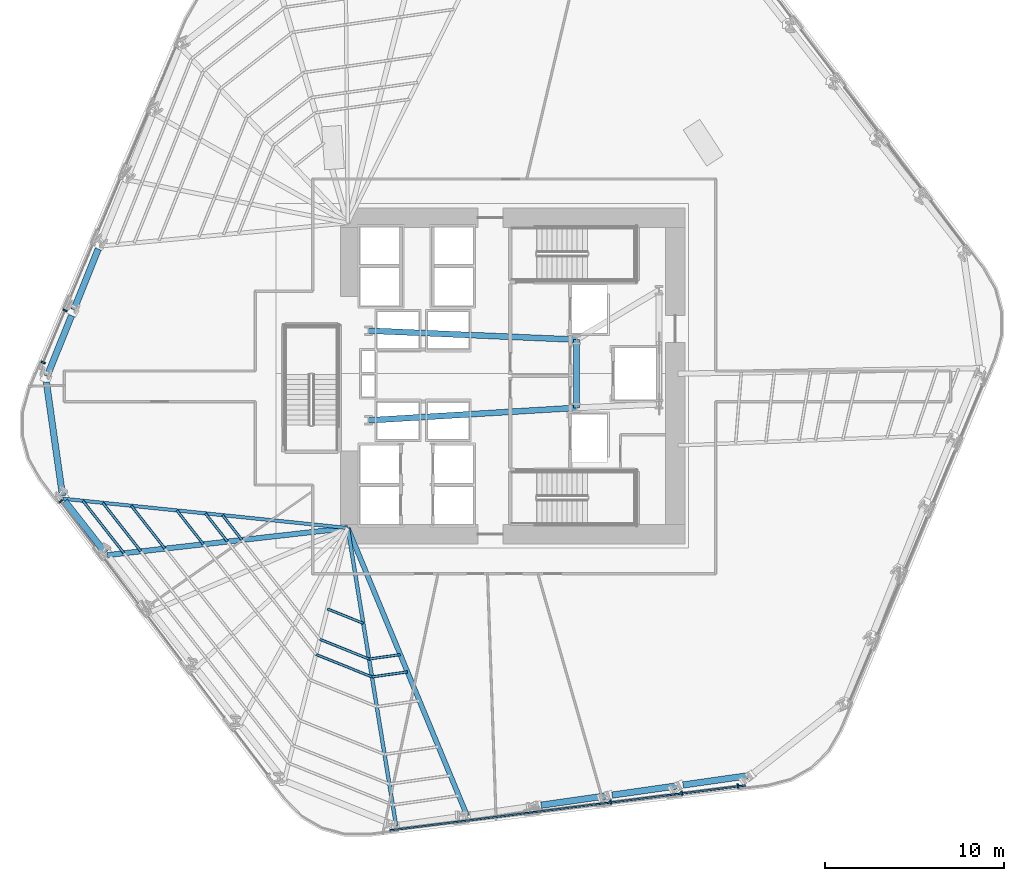
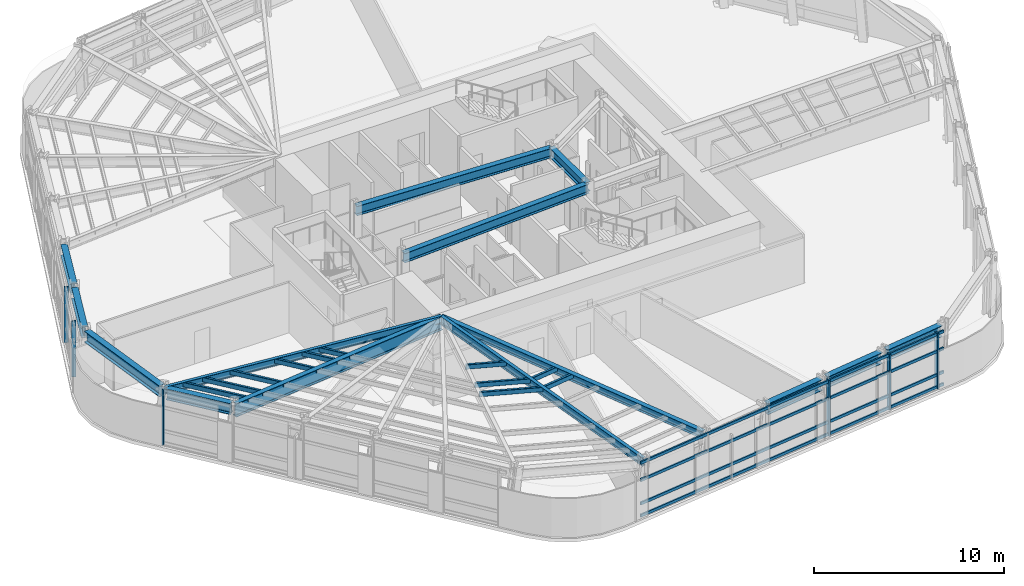
# One storey, part 3 of 16: 21 members, 14 beams, 3 elements without a shape of their own.
"""IFC4 building model written with IfcOpenShell, lengths in metres."""

from ifc_helpers import new_model, si_unit, direction, frame, origin, origin_2d, place, context, subcontext, project, spatial, rectangle, hollow_rectangle, i_section, extrude, material, layer, layer_set, material_profile, profile_set, type_object, element, aggregate, save


model = new_model("IFC4")

# Units and contexts
model_context = context("Model", 3, precision=1e-05, world=origin(), true_north=direction((0.0, 1.0)))
body_context = subcontext(model_context, "Body", "Model", "MODEL_VIEW")
ifc_project = project(units=[si_unit("LENGTHUNIT", "METRE"), si_unit("AREAUNIT", "SQUARE_METRE"), si_unit("VOLUMEUNIT", "CUBIC_METRE"), si_unit("PLANEANGLEUNIT", "RADIAN"), si_unit("MASSUNIT", "GRAM", prefix="KILO")], contexts=[model_context])

# Site, building, storey
site_placement = place(None, origin())
site = spatial("IfcSite", under=ifc_project, at=site_placement, CompositionType="ELEMENT")
building_placement = place(site_placement, origin())
building = spatial("IfcBuilding", under=site, at=building_placement, Name="Valkerne Bourse Tower", CompositionType="ELEMENT")
storey_placement = place(building_placement, frame((0.0, 0.0, 54.39990234375)))
storey = spatial("IfcBuildingStorey", under=building, at=storey_placement, Name="L13", CompositionType="ELEMENT", Elevation=54.39990234375)

# Beams
ifc_material_1 = material(Name="Steel ASTM A992", Category="steel")
ifc_material_profile_1 = material_profile(ifc_material_1, i_section(OverallWidth=0.1904296875, OverallDepth=0.457275390625, WebThickness=0.009033203125, FlangeThickness=0.014404296875, FilletRadius=0.01513671875, at=origin_2d()), Name="W18X50")
ifc_profile_set_1 = profile_set([ifc_material_profile_1], Name="Steel ASTM A992")
beam_type_1 = type_object("IfcBeamType", Name="BM-W18X50", PredefinedType="JOIST", material=ifc_profile_set_1)
beam_1_placement = place(storey_placement, frame((21.72412109375, 20.03271484375, 3.3515625), z_axis=(0.99475273558, -0.102308333265, 0.0), x_axis=(0.102308333265, 0.99475273558, 0.0)))
element("IfcBeam", 1, at=beam_1_placement, inside=storey, type_object=beam_type_1, Name="L13 Radial Composite Floor Beam 18", PredefinedType="JOIST", context=body_context, shape_type="SweptSolid", body=[
    extrude(i_section(OverallWidth=0.1904296875, OverallDepth=0.457275390625, WebThickness=0.009033203125, FlangeThickness=0.014404296875, FilletRadius=0.01513671875, at=origin_2d()), origin(), (0.0, 0.0, 1.0), 15.959716796875),
])
ifc_material_profile_2 = material_profile(ifc_material_1, i_section(OverallWidth=0.279296875, OverallDepth=0.46240234375, WebThickness=0.0107421875, FlangeThickness=0.017333984375, FilletRadius=0.017822265625, at=origin_2d()), Name="W18X76")
ifc_profile_set_2 = profile_set([ifc_material_profile_2], Name="Steel ASTM A992")
beam_type_2 = type_object("IfcBeamType", Name="BM-W18X76", PredefinedType="BEAM", material=ifc_profile_set_2)
beam_2_placement = place(storey_placement, frame((44.251953125, 2.363037109375, 3.348876953125), z_axis=(-0.383134132782, 0.923692717465, 0.0), x_axis=(-0.923692717465, -0.383134132782, 0.0)))
element("IfcBeam", 2, at=beam_2_placement, inside=storey, type_object=beam_type_2, Name="L13 Radial Composite Floor Beam 25", PredefinedType="BEAM", context=body_context, shape_type="SweptSolid", body=[
    extrude(i_section(OverallWidth=0.279296875, OverallDepth=0.46240234375, WebThickness=0.0107421875, FlangeThickness=0.017333984375, FilletRadius=0.017822265625, at=origin_2d()), origin(), (0.0, 0.0, 1.0), 17.361572265625),
])
ifc_material_profile_3 = material_profile(ifc_material_1, i_section(OverallWidth=0.209228515625, OverallDepth=0.533447265625, WebThickness=0.01025390625, FlangeThickness=0.015625, FilletRadius=0.017822265625, at=origin_2d()), Name="W21X62")
ifc_profile_set_3 = profile_set([ifc_material_profile_3], Name="Steel ASTM A992")
beam_type_3 = type_object("IfcBeamType", Name="BM-W21X62", PredefinedType="JOIST", material=ifc_profile_set_3)
beam_3_placement = place(storey_placement, frame((40.2958984375, 1.7998046875, 3.3134765625), z_axis=(-0.16029671032, 0.987068875338, 0.0), x_axis=(-0.987068875338, -0.16029671032, 0.0)))
element("IfcBeam", 3, at=beam_3_placement, inside=storey, type_object=beam_type_3, Name="L13 Radial Composite Floor Beam 24", PredefinedType="JOIST", context=body_context, shape_type="SweptSolid", body=[
    extrude(i_section(OverallWidth=0.209228515625, OverallDepth=0.533447265625, WebThickness=0.01025390625, FlangeThickness=0.015625, FilletRadius=0.017822265625, at=origin_2d()), origin(), (0.0, 0.0, 1.0), 16.817626953125),
])
ifc_material_profile_4 = material_profile(ifc_material_1, i_section(OverallWidth=0.3251953125, OverallDepth=0.612060546875, WebThickness=0.0126953125, FlangeThickness=0.01904296875, FilletRadius=0.020263671875, at=origin_2d()), Name="W24X104")
ifc_profile_set_4 = profile_set([ifc_material_profile_4], Name="Steel ASTM A992")
beam_type_4 = type_object("IfcBeamType", Name="BM-W24X104", PredefinedType="BEAM", material=ifc_profile_set_4)
beam_4_placement = place(storey_placement, frame((50.35009765625, 25.10009765625, 3.27392578125), z_axis=(0.0, 1.0, 0.0), x_axis=(-1.0, 0.0, 0.0)))
element("IfcBeam", 4, at=beam_4_placement, inside=storey, type_object=beam_type_4, Name="L13 Core Frame Girder CG-CE", PredefinedType="BEAM", context=body_context, shape_type="SweptSolid", body=[
    extrude(i_section(OverallWidth=0.3251953125, OverallDepth=0.612060546875, WebThickness=0.0126953125, FlangeThickness=0.01904296875, FilletRadius=0.020263671875, at=origin_2d()), origin(), (0.0, 0.0, 1.0), 3.7998046875),
])
beam_5_placement = place(storey_placement, frame((38.75, 24.39990234375, 3.27392578125), z_axis=(0.998183228389, 0.060251494276, 0.0), x_axis=(-0.060251494276, 0.998183228389, 0.0)))
element("IfcBeam", 5, at=beam_5_placement, inside=storey, type_object=beam_type_4, Name="L13 Core Frame Girder CG-SW", PredefinedType="BEAM", context=body_context, shape_type="SweptSolid", body=[
    extrude(i_section(OverallWidth=0.3251953125, OverallDepth=0.612060546875, WebThickness=0.0126953125, FlangeThickness=0.01904296875, FilletRadius=0.020263671875, at=origin_2d()), origin(), (0.0, 0.0, 1.0), 11.62109375),
])
beam_6_placement = place(storey_placement, frame((38.75, 29.39990234375, 3.27392578125), z_axis=(0.999072354402, -0.043063101019, 0.0), x_axis=(0.043063101019, 0.999072354402, 0.0)))
element("IfcBeam", 6, at=beam_6_placement, inside=storey, type_object=beam_type_4, Name="L13 Core Frame Girder CG-NW", PredefinedType="BEAM", context=body_context, shape_type="SweptSolid", body=[
    extrude(i_section(OverallWidth=0.3251953125, OverallDepth=0.612060546875, WebThickness=0.0126953125, FlangeThickness=0.01904296875, FilletRadius=0.020263671875, at=origin_2d()), origin(), (0.0, 0.0, 1.0), 11.61083984375),
])
ifc_material_profile_5 = material_profile(ifc_material_1, i_section(OverallWidth=0.358154296875, OverallDepth=0.7060546875, WebThickness=0.018310546875, FlangeThickness=0.0302734375, FilletRadius=0.02294921875, at=origin_2d()), Name="W27X178")
ifc_profile_set_5 = profile_set([ifc_material_profile_5], Name="Steel ASTM A992")
beam_type_5 = type_object("IfcBeamType", Name="BM-W27X178", PredefinedType="SPANDREL", material=ifc_profile_set_5)
beam_7_placement = place(storey_placement, frame((23.693359375, 33.9521484375, 3.22705078125), z_axis=(-0.372967535264, -0.927844393009, 0.0), x_axis=(0.927844393009, -0.372967535264, 0.0)))
element("IfcBeam", 7, at=beam_7_placement, inside=storey, type_object=beam_type_5, Name="L13 Hexagonal Spandrel Ring Beam 15", PredefinedType="SPANDREL", context=body_context, shape_type="SweptSolid", body=[
    extrude(i_section(OverallWidth=0.358154296875, OverallDepth=0.7060546875, WebThickness=0.018310546875, FlangeThickness=0.0302734375, FilletRadius=0.02294921875, at=origin_2d()), origin(), (0.0, 0.0, 1.0), 3.65576171875),
])
beam_8_placement = place(storey_placement, frame((22.202880859375, 30.24462890625, 3.22705078125), z_axis=(-0.372944426895, -0.927853681594, 0.0), x_axis=(0.927853681594, -0.372944426895, 0.0)))
element("IfcBeam", 8, at=beam_8_placement, inside=storey, type_object=beam_type_5, Name="L13 Hexagonal Spandrel Ring Beam 16", PredefinedType="SPANDREL", context=body_context, shape_type="SweptSolid", body=[
    extrude(i_section(OverallWidth=0.358154296875, OverallDepth=0.7060546875, WebThickness=0.018310546875, FlangeThickness=0.0302734375, FilletRadius=0.02294921875, at=origin_2d()), origin(), (0.0, 0.0, 1.0), 3.656005859375),
])
beam_9_placement = place(storey_placement, frame((20.7998046875, 26.5263671875, 3.22705078125), z_axis=(0.140886372416, -0.990025772426, 0.0), x_axis=(0.990025772426, 0.140886372416, 0.0)))
element("IfcBeam", 9, at=beam_9_placement, inside=storey, type_object=beam_type_5, Name="L13 Hexagonal Spandrel Ring Beam 17", PredefinedType="SPANDREL", context=body_context, shape_type="SweptSolid", body=[
    extrude(i_section(OverallWidth=0.358154296875, OverallDepth=0.7060546875, WebThickness=0.018310546875, FlangeThickness=0.0302734375, FilletRadius=0.02294921875, at=origin_2d()), origin(), (0.0, 0.0, 1.0), 6.38916015625),
])
beam_10_placement = place(storey_placement, frame((21.828857421875, 19.89892578125, 3.22705078125), z_axis=(0.617042646345, -0.786929712612, 0.0), x_axis=(0.786929712612, 0.617042646345, 0.0)))
element("IfcBeam", 10, at=beam_10_placement, inside=storey, type_object=beam_type_5, Name="L13 Hexagonal Spandrel Ring Beam 18", PredefinedType="SPANDREL", context=body_context, shape_type="SweptSolid", body=[
    extrude(i_section(OverallWidth=0.358154296875, OverallDepth=0.7060546875, WebThickness=0.018310546875, FlangeThickness=0.0302734375, FilletRadius=0.02294921875, at=origin_2d()), origin(), (0.0, 0.0, 1.0), 3.656005859375),
])
beam_11_placement = place(storey_placement, frame((48.37646484375, 2.949951171875, 3.22705078125), z_axis=(0.990022818804, 0.140907126319, 0.0), x_axis=(-0.140907126319, 0.990022818804, 0.0)))
element("IfcBeam", 11, at=beam_11_placement, inside=storey, type_object=beam_type_5, Name="L13 Hexagonal Spandrel Ring Beam 26", PredefinedType="SPANDREL", context=body_context, shape_type="SweptSolid", body=[
    extrude(i_section(OverallWidth=0.358154296875, OverallDepth=0.7060546875, WebThickness=0.018310546875, FlangeThickness=0.0302734375, FilletRadius=0.02294921875, at=origin_2d()), origin(), (0.0, 0.0, 1.0), 3.65576171875),
])
beam_12_placement = place(storey_placement, frame((52.33251953125, 3.51318359375, 3.22705078125), z_axis=(0.990033457277, 0.140832359463, 0.0), x_axis=(-0.140832359463, 0.990033457277, 0.0)))
element("IfcBeam", 12, at=beam_12_placement, inside=storey, type_object=beam_type_5, Name="L13 Hexagonal Spandrel Ring Beam 27", PredefinedType="SPANDREL", context=body_context, shape_type="SweptSolid", body=[
    extrude(i_section(OverallWidth=0.358154296875, OverallDepth=0.7060546875, WebThickness=0.018310546875, FlangeThickness=0.0302734375, FilletRadius=0.02294921875, at=origin_2d()), origin(), (0.0, 0.0, 1.0), 3.656005859375),
])
beam_13_placement = place(storey_placement, frame((56.288818359375, 4.076171875, 3.22705078125), z_axis=(0.990022818804, 0.140907126319, 0.0), x_axis=(-0.140907126319, 0.990022818804, 0.0)))
element("IfcBeam", 13, at=beam_13_placement, inside=storey, type_object=beam_type_5, Name="L13 Hexagonal Spandrel Ring Beam 28", PredefinedType="SPANDREL", context=body_context, shape_type="SweptSolid", body=[
    extrude(i_section(OverallWidth=0.358154296875, OverallDepth=0.7060546875, WebThickness=0.018310546875, FlangeThickness=0.0302734375, FilletRadius=0.02294921875, at=origin_2d()), origin(), (0.0, 0.0, 1.0), 3.65576171875),
])
ifc_material_profile_6 = material_profile(ifc_material_1, i_section(OverallWidth=0.2919921875, OverallDepth=0.8583984375, WebThickness=0.01708984375, FlangeThickness=0.031005859375, FilletRadius=0.025390625, at=origin_2d()), Name="W33X169")
ifc_profile_set_6 = profile_set([ifc_material_profile_6], Name="Steel ASTM A992")
beam_type_6 = type_object("IfcBeamType", Name="BM-W33X169", PredefinedType="BEAM", material=ifc_profile_set_6)
beam_14_placement = place(storey_placement, frame((24.189697265625, 16.88818359375, 3.15087890625), z_axis=(0.993706194091, 0.112017854937, 0.0), x_axis=(-0.112017854937, 0.993706194091, 0.0)))
element("IfcBeam", 14, at=beam_14_placement, inside=storey, type_object=beam_type_6, Name="L13 Radial Composite Floor Beam 19", PredefinedType="BEAM", context=body_context, shape_type="SweptSolid", body=[
    extrude(i_section(OverallWidth=0.2919921875, OverallDepth=0.8583984375, WebThickness=0.01708984375, FlangeThickness=0.031005859375, FilletRadius=0.025390625, at=origin_2d()), origin(), (0.0, 0.0, 1.0), 13.495361328125),
])

# Curtain wall, members
ifc_material_2 = material(Name="Aluminium AA 6063-T6", Category="aluminium")
ifc_layer = layer(ifc_material_2, 0.22509765625)
ifc_layer_set = layer_set([ifc_layer], Name="Aluminium AA 6063-T6")
curtain_wall_type = type_object("IfcCurtainWallType", Name="CW-01", PredefinedType="NOTDEFINED", material=ifc_layer_set)
curtain_wall_1_placement = place(storey_placement, origin())
curtain_wall_1 = element("IfcCurtainWall", 15, at=curtain_wall_1_placement, inside=storey, type_object=curtain_wall_type, Name="L13 Hexagonal Stick Curtain Wall Face 3", PredefinedType="NOTDEFINED")
ifc_material_profile_7 = material_profile(ifc_material_2, rectangle(XDim=0.090087890625, YDim=0.239990234375, at=origin_2d()), Name="CWM-90X240")
ifc_profile_set_7 = profile_set([ifc_material_profile_7], Name="Aluminium AA 6063-T6")
member_type_1 = type_object("IfcMemberType", Name="CW-MUL-240X90", PredefinedType="MULLION", material=ifc_profile_set_7)
member_1_placement = place(storey_placement, frame((21.8466796875, 30.53173828125, 0.0), z_axis=(0.0, 0.0, 1.0), x_axis=(-0.387509858952, -0.921865559187, 0.0)))
member_1 = element("IfcMember", 16, at=member_1_placement, type_object=member_type_1, Name="CW-L13-F3 Jamb Mullion 04A", PredefinedType="MULLION", context=body_context, shape_type="SweptSolid", body=[
    extrude(rectangle(XDim=0.090087890625, YDim=0.239990234375, at=origin_2d()), origin(), (0.0, 0.0, 1.0), 3.580078125),
])
member_2_placement = place(storey_placement, frame((20.62353515625, 27.622314453125, 0.0), z_axis=(0.0, 0.0, 1.0), x_axis=(-0.387509858952, -0.921865559187, 0.0)))
member_2 = element("IfcMember", 17, at=member_2_placement, type_object=member_type_1, Name="CW-L13-F3 Jamb Mullion 04B", PredefinedType="MULLION", context=body_context, shape_type="SweptSolid", body=[
    extrude(rectangle(XDim=0.090087890625, YDim=0.239990234375, at=origin_2d()), origin(), (0.0, 0.0, 1.0), 3.580078125),
])
aggregate(curtain_wall_1, [member_1, member_2])

# Curtain wall, member
curtain_wall_2_placement = place(storey_placement, origin())
curtain_wall_2 = element("IfcCurtainWall", 18, at=curtain_wall_2_placement, inside=storey, type_object=curtain_wall_type, Name="L13 Hexagonal Stick Curtain Wall Face 4", PredefinedType="NOTDEFINED")
member_3_placement = place(storey_placement, frame((21.600830078125, 19.887451171875, 0.0), z_axis=(0.0, 0.0, 1.0), x_axis=(0.604606641485, -0.79652420495, 0.0)))
member_3 = element("IfcMember", 19, at=member_3_placement, type_object=member_type_1, Name="CW-L13-F4 Jamb Mullion 00A", PredefinedType="MULLION", context=body_context, shape_type="SweptSolid", body=[
    extrude(rectangle(XDim=0.090087890625, YDim=0.239990234375, at=origin_2d()), origin(), (0.0, 0.0, 1.0), 3.580078125),
])
aggregate(curtain_wall_2, [member_3])

# Curtain wall, members
curtain_wall_3_placement = place(storey_placement, origin())
curtain_wall_3 = element("IfcCurtainWall", 20, at=curtain_wall_3_placement, inside=storey, type_object=curtain_wall_type, Name="L13 Hexagonal Stick Curtain Wall Face 5", PredefinedType="NOTDEFINED")
member_4_placement = place(storey_placement, frame((52.253662109375, 3.123046875, 0.0), z_axis=(0.0, 0.0, 1.0), x_axis=(0.992115722578, 0.125325149169, 0.0)))
member_4 = element("IfcMember", 21, at=member_4_placement, type_object=member_type_1, Name="CW-L13-F5 Jamb Mullion 03A", PredefinedType="MULLION", context=body_context, shape_type="SweptSolid", body=[
    extrude(rectangle(XDim=0.090087890625, YDim=0.239990234375, at=origin_2d()), origin(), (0.0, 0.0, 1.0), 3.580078125),
])
member_5_placement = place(storey_placement, frame((56.218017578125, 3.623779296875, 0.0), z_axis=(0.0, 0.0, 1.0), x_axis=(0.992112610749, 0.125349780988, 0.0)))
member_5 = element("IfcMember", 22, at=member_5_placement, type_object=member_type_1, Name="CW-L13-F5 Jamb Mullion 04A", PredefinedType="MULLION", context=body_context, shape_type="SweptSolid", body=[
    extrude(rectangle(XDim=0.090087890625, YDim=0.239990234375, at=origin_2d()), origin(), (0.0, 0.0, 1.0), 3.580078125),
])
member_6_placement = place(storey_placement, frame((59.34912109375, 4.019287109375, 0.0), z_axis=(0.0, 0.0, 1.0), x_axis=(0.992112610749, 0.125349780988, 0.0)))
member_6 = element("IfcMember", 23, at=member_6_placement, type_object=member_type_1, Name="CW-L13-F5 Jamb Mullion 04B", PredefinedType="MULLION", context=body_context, shape_type="SweptSolid", body=[
    extrude(rectangle(XDim=0.090087890625, YDim=0.239990234375, at=origin_2d()), origin(), (0.0, 0.0, 1.0), 3.580078125),
])
ifc_material_profile_8 = material_profile(ifc_material_2, rectangle(XDim=0.090087890625, YDim=0.179931640625, at=origin_2d()), Name="CWT-90X180")
ifc_profile_set_8 = profile_set([ifc_material_profile_8], Name="Aluminium AA 6063-T6")
member_type_2 = type_object("IfcMemberType", Name="CW-TRN-180X90", PredefinedType="USERDEFINED", material=ifc_profile_set_8)
member_7_placement = place(storey_placement, frame((39.94580078125, 1.548095703125, 0.1201171875), z_axis=(0.992114794338, 0.125332497205, 0.0), x_axis=(-0.125332497205, 0.992114794338, 0.0)))
member_7 = element("IfcMember", 24, at=member_7_placement, type_object=member_type_2, Name="CW-L13-F5 Continuous Face Transom 1", ObjectType="TRANSOM", PredefinedType="USERDEFINED", context=body_context, shape_type="SweptSolid", body=[
    extrude(rectangle(XDim=0.090087890625, YDim=0.179931640625, at=origin_2d()), origin(), (0.0, 0.0, 1.0), 19.97998046875),
])
member_8_placement = place(storey_placement, frame((39.94580078125, 1.548095703125, 0.900146484375), z_axis=(0.992114794338, 0.125332497205, 0.0), x_axis=(-0.125332497205, 0.992114794338, 0.0)))
member_8 = element("IfcMember", 25, at=member_8_placement, type_object=member_type_2, Name="CW-L13-F5 Continuous Face Transom 2", ObjectType="TRANSOM", PredefinedType="USERDEFINED", context=body_context, shape_type="SweptSolid", body=[
    extrude(rectangle(XDim=0.090087890625, YDim=0.179931640625, at=origin_2d()), origin(), (0.0, 0.0, 1.0), 19.97998046875),
])
member_9_placement = place(storey_placement, frame((39.94580078125, 1.548095703125, 2.400146484375), z_axis=(0.992114794338, 0.125332497205, 0.0), x_axis=(-0.125332497205, 0.992114794338, 0.0)))
member_9 = element("IfcMember", 26, at=member_9_placement, type_object=member_type_2, Name="CW-L13-F5 Continuous Face Transom 3", ObjectType="TRANSOM", PredefinedType="USERDEFINED", context=body_context, shape_type="SweptSolid", body=[
    extrude(rectangle(XDim=0.090087890625, YDim=0.179931640625, at=origin_2d()), origin(), (0.0, 0.0, 1.0), 19.97998046875),
])
member_10_placement = place(storey_placement, frame((39.94580078125, 1.548095703125, 3.5), z_axis=(0.992114794338, 0.125332497205, 0.0), x_axis=(-0.125332497205, 0.992114794338, 0.0)))
member_10 = element("IfcMember", 27, at=member_10_placement, type_object=member_type_2, Name="CW-L13-F5 Continuous Face Transom 4", ObjectType="TRANSOM", PredefinedType="USERDEFINED", context=body_context, shape_type="SweptSolid", body=[
    extrude(rectangle(XDim=0.090087890625, YDim=0.179931640625, at=origin_2d()), origin(), (0.0, 0.0, 1.0), 19.97998046875),
])
aggregate(curtain_wall_3, [member_7, member_8, member_9, member_10, member_4, member_5, member_6])

# Members
ifc_material_3 = material(Name="Steel ASTM A500 Grade C", Category="steel")
ifc_material_profile_9 = material_profile(ifc_material_3, hollow_rectangle(XDim=0.14990234375, YDim=0.300048828125, WallThickness=0.012451171875, OuterFilletRadius=0.02490234375, at=origin_2d()), Name="HSS300X150X12.5")
ifc_profile_set_9 = profile_set([ifc_material_profile_9], Name="Steel ASTM A500 Grade C")
member_type_3 = type_object("IfcMemberType", Name="MBR-HSS300X150X12.5", PredefinedType="PURLIN", material=ifc_profile_set_9)
member_11_placement = place(storey_placement, frame((36.46484375, 13.89111328125, 3.420166015625), z_axis=(0.927818395559, -0.373032203518, 0.0), x_axis=(0.373032203518, 0.927818395559, 0.0)))
element("IfcMember", 28, at=member_11_placement, inside=storey, type_object=member_type_3, Name="L13 Secondary Composite Floor Purlin I-23", PredefinedType="PURLIN", context=body_context, shape_type="SweptSolid", body=[
    extrude(hollow_rectangle(XDim=0.14990234375, YDim=0.300048828125, WallThickness=0.012451171875, OuterFilletRadius=0.02490234375, at=origin_2d()), origin(), (0.0, 0.0, 1.0), 2.1533203125),
])
member_12_placement = place(storey_placement, frame((30.614501953125, 19.118408203125, 3.420166015625), z_axis=(0.617079247573, -0.7869010117, 0.0), x_axis=(0.7869010117, 0.617079247573, 0.0)))
element("IfcMember", 29, at=member_12_placement, inside=storey, type_object=member_type_3, Name="L13 Secondary Composite Floor Purlin K-18", PredefinedType="PURLIN", context=body_context, shape_type="SweptSolid", body=[
    extrude(hollow_rectangle(XDim=0.14990234375, YDim=0.300048828125, WallThickness=0.012451171875, OuterFilletRadius=0.02490234375, at=origin_2d()), origin(), (0.0, 0.0, 1.0), 1.75830078125),
])
member_13_placement = place(storey_placement, frame((36.0390625, 12.2001953125, 3.420166015625), z_axis=(0.927844101366, -0.372968260796, 0.0), x_axis=(0.372968260796, 0.927844101366, 0.0)))
element("IfcMember", 30, at=member_13_placement, inside=storey, type_object=member_type_3, Name="L13 Secondary Composite Floor Purlin K-23", PredefinedType="PURLIN", context=body_context, shape_type="SweptSolid", body=[
    extrude(hollow_rectangle(XDim=0.14990234375, YDim=0.300048828125, WallThickness=0.012451171875, OuterFilletRadius=0.02490234375, at=origin_2d()), origin(), (0.0, 0.0, 1.0), 2.960693359375),
])
member_14_placement = place(storey_placement, frame((38.7861328125, 11.095947265625, 3.420166015625), z_axis=(0.990018800655, 0.140935355213, 0.0), x_axis=(-0.140935355213, 0.990018800655, 0.0)))
element("IfcMember", 31, at=member_14_placement, inside=storey, type_object=member_type_3, Name="L13 Secondary Composite Floor Purlin K-24", PredefinedType="PURLIN", context=body_context, shape_type="SweptSolid", body=[
    extrude(hollow_rectangle(XDim=0.14990234375, YDim=0.300048828125, WallThickness=0.012451171875, OuterFilletRadius=0.02490234375, at=origin_2d()), origin(), (0.0, 0.0, 1.0), 1.75830078125),
])
member_15_placement = place(storey_placement, frame((29.662109375, 19.21630859375, 3.420166015625), z_axis=(0.616990089539, -0.786970920308, 0.0), x_axis=(0.786970920308, 0.616990089539, 0.0)))
element("IfcMember", 32, at=member_15_placement, inside=storey, type_object=member_type_3, Name="L13 Secondary Composite Floor Purlin M-18", PredefinedType="PURLIN", context=body_context, shape_type="SweptSolid", body=[
    extrude(hollow_rectangle(XDim=0.14990234375, YDim=0.300048828125, WallThickness=0.012451171875, OuterFilletRadius=0.02490234375, at=origin_2d()), origin(), (0.0, 0.0, 1.0), 1.997802734375),
])
member_16_placement = place(storey_placement, frame((35.826171875, 11.35498046875, 3.420166015625), z_axis=(0.927819706001, -0.373028944127, 0.0), x_axis=(0.373028944127, 0.927819706001, 0.0)))
element("IfcMember", 33, at=member_16_placement, inside=storey, type_object=member_type_3, Name="L13 Secondary Composite Floor Purlin M-23", PredefinedType="PURLIN", context=body_context, shape_type="SweptSolid", body=[
    extrude(hollow_rectangle(XDim=0.14990234375, YDim=0.300048828125, WallThickness=0.012451171875, OuterFilletRadius=0.02490234375, at=origin_2d()), origin(), (0.0, 0.0, 1.0), 3.36474609375),
])
member_17_placement = place(storey_placement, frame((38.947998046875, 10.099853515625, 3.420166015625), z_axis=(0.990008061184, 0.141010775439, 0.0), x_axis=(-0.141010775439, 0.990008061184, 0.0)))
element("IfcMember", 34, at=member_17_placement, inside=storey, type_object=member_type_3, Name="L13 Secondary Composite Floor Purlin M-24", PredefinedType="PURLIN", context=body_context, shape_type="SweptSolid", body=[
    extrude(hollow_rectangle(XDim=0.14990234375, YDim=0.300048828125, WallThickness=0.012451171875, OuterFilletRadius=0.02490234375, at=origin_2d()), origin(), (0.0, 0.0, 1.0), 1.998046875),
])
member_18_placement = place(storey_placement, frame((25.5341796875, 19.640869140625, 3.420166015625), z_axis=(0.617057955634, -0.786917708143, 0.0), x_axis=(0.786917708143, 0.617057955634, 0.0)))
element("IfcMember", 35, at=member_18_placement, inside=storey, type_object=member_type_3, Name="L13 Secondary Composite Floor Purlin O-18", PredefinedType="PURLIN", context=body_context, shape_type="SweptSolid", body=[
    extrude(hollow_rectangle(XDim=0.14990234375, YDim=0.300048828125, WallThickness=0.012451171875, OuterFilletRadius=0.02490234375, at=origin_2d()), origin(), (0.0, 0.0, 1.0), 3.037109375),
])
member_19_placement = place(storey_placement, frame((28.074462890625, 19.379638671875, 3.420166015625), z_axis=(0.617002702898, -0.786961031193, 0.0), x_axis=(0.786961031193, 0.617002702898, 0.0)))
element("IfcMember", 36, at=member_19_placement, inside=storey, type_object=member_type_3, Name="L13 Secondary Composite Floor Purlin Z-18", PredefinedType="PURLIN", context=body_context, shape_type="SweptSolid", body=[
    extrude(hollow_rectangle(XDim=0.14990234375, YDim=0.300048828125, WallThickness=0.012451171875, OuterFilletRadius=0.02490234375, at=origin_2d()), origin(), (0.0, 0.0, 1.0), 2.3974609375),
])
member_20_placement = place(storey_placement, frame((23.946533203125, 19.80419921875, 3.420166015625), z_axis=(0.617058863409, -0.786916996314, 0.0), x_axis=(0.786916996314, 0.617058863409, 0.0)))
element("IfcMember", 37, at=member_20_placement, inside=storey, type_object=member_type_3, Name="L13 Secondary Composite Floor Purlin T-18", PredefinedType="PURLIN", context=body_context, shape_type="SweptSolid", body=[
    extrude(hollow_rectangle(XDim=0.14990234375, YDim=0.300048828125, WallThickness=0.012451171875, OuterFilletRadius=0.02490234375, at=origin_2d()), origin(), (0.0, 0.0, 1.0), 3.4365234375),
])
member_21_placement = place(storey_placement, frame((22.835205078125, 19.91845703125, 3.420166015625), z_axis=(0.617046623243, -0.786926594254, 0.0), x_axis=(0.786926594254, 0.617046623243, 0.0)))
element("IfcMember", 38, at=member_21_placement, inside=storey, type_object=member_type_3, Name="L13 Secondary Composite Floor Purlin U-18", PredefinedType="PURLIN", context=body_context, shape_type="SweptSolid", body=[
    extrude(hollow_rectangle(XDim=0.14990234375, YDim=0.300048828125, WallThickness=0.012451171875, OuterFilletRadius=0.02490234375, at=origin_2d()), origin(), (0.0, 0.0, 1.0), 3.716552734375),
])

save(model, "model.ifc")
